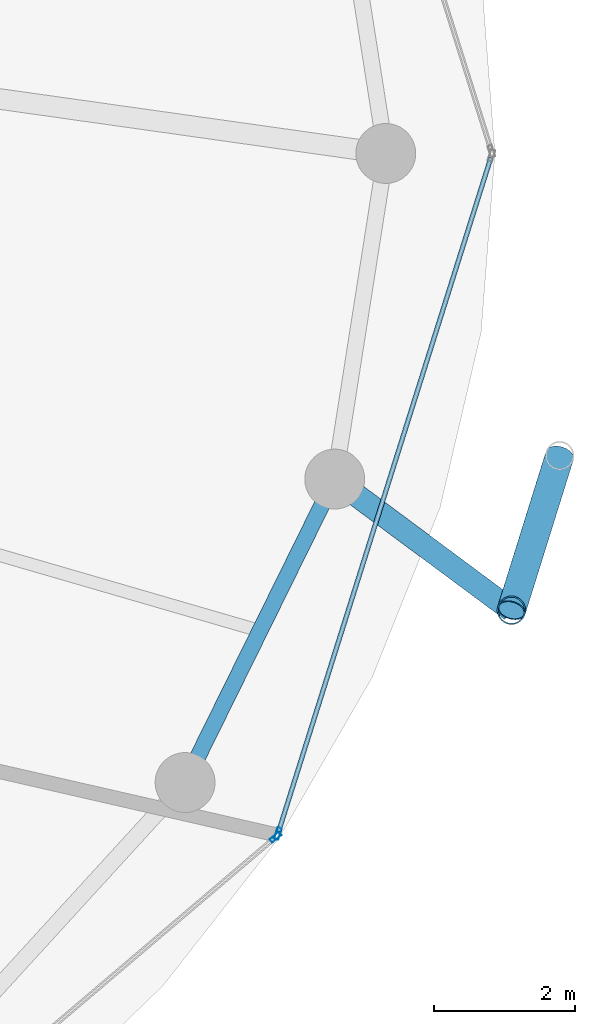
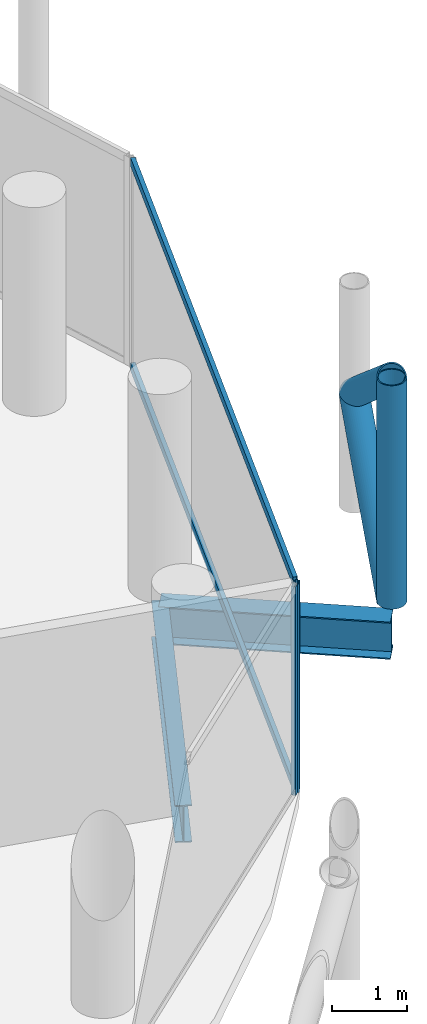
# One storey, part 13 of 27: 7 members, 2 beams, 2 elements without a shape of their own.
"""IFC4 building model written with IfcOpenShell, lengths in metres."""

from ifc_helpers import new_model, si_unit, direction, frame, origin, origin_2d, place, context, subcontext, project, spatial, hollow_rectangle, hollow_circle, i_section, extrude, material, layer, layer_set, material_profile, profile_set, type_object, element, aggregate, save


model = new_model("IFC4")

# Units and contexts
model_context = context("Model", 3, precision=1e-05, world=origin(), true_north=direction((0.0, 1.0)))
body_context = subcontext(model_context, "Body", "Model", "MODEL_VIEW")
ifc_project = project(units=[si_unit("LENGTHUNIT", "METRE"), si_unit("AREAUNIT", "SQUARE_METRE"), si_unit("VOLUMEUNIT", "CUBIC_METRE"), si_unit("PLANEANGLEUNIT", "RADIAN"), si_unit("MASSUNIT", "GRAM", prefix="KILO")], contexts=[model_context])

# Site, building, storey
site_placement = place(None, origin())
site = spatial("IfcSite", under=ifc_project, at=site_placement, CompositionType="ELEMENT")
building_placement = place(site_placement, origin())
building = spatial("IfcBuilding", under=site, at=building_placement, Name="Nuhasar Tower", CompositionType="ELEMENT")
storey_placement = place(building_placement, frame((0.0, 0.0, 208.14990234375)))
storey = spatial("IfcBuildingStorey", under=building, at=storey_placement, Name="L50", CompositionType="ELEMENT", Elevation=208.14990234375)

# Beams
ifc_material_1 = material(Name="Steel S355", Category="steel")
ifc_material_profile_1 = material_profile(ifc_material_1, i_section(OverallWidth=0.22802734375, OverallDepth=0.60791015625, WebThickness=0.01123046875, FlangeThickness=0.017333984375, at=origin_2d()), Name="W24X76")
ifc_profile_set_1 = profile_set([ifc_material_profile_1], Name="Steel S355")
beam_type_1 = type_object("IfcBeamType", Name="BM-RING-W24X76", PredefinedType="SPANDREL", material=ifc_profile_set_1)
beam_1_placement = place(storey_placement, frame((57.403076171875, 17.875, -0.5439453125), z_axis=(0.442262779282, 0.896885518928, 0.0), x_axis=(-0.896885518928, 0.442262779282, 0.0)))
element("IfcBeam", 1, at=beam_1_placement, inside=storey, type_object=beam_type_1, Name="L50 Perimeter Ring Spandrel 23", PredefinedType="SPANDREL", context=body_context, shape_type="SweptSolid", body=[
    extrude(i_section(OverallWidth=0.22802734375, OverallDepth=0.60791015625, WebThickness=0.01123046875, FlangeThickness=0.017333984375, at=origin_2d()), origin(), (0.0, 0.0, 1.0), 4.7998046875),
])
ifc_material_profile_2 = material_profile(ifc_material_1, i_section(OverallWidth=0.323974609375, OverallDepth=0.611083984375, WebThickness=0.0126953125, FlangeThickness=0.01904296875, at=origin_2d()), Name="W24X104")
ifc_profile_set_2 = profile_set([ifc_material_profile_2], Name="Steel S355")
beam_type_2 = type_object("IfcBeamType", Name="BM-TIE-W24X104", PredefinedType="BEAM", material=ifc_profile_set_2)
beam_2_placement = place(storey_placement, frame((59.52587890625, 22.179931640625, -0.544921875), z_axis=(0.802983345014, -0.596001466131, 0.0), x_axis=(0.596001466131, 0.802983345014, 0.0)))
element("IfcBeam", 2, at=beam_2_placement, inside=storey, type_object=beam_type_2, Name="L50 Exoskeleton Node Tie Beam 12", PredefinedType="BEAM", context=body_context, shape_type="SweptSolid", body=[
    extrude(i_section(OverallWidth=0.323974609375, OverallDepth=0.611083984375, WebThickness=0.0126953125, FlangeThickness=0.01904296875, at=origin_2d()), origin(), (0.0, 0.0, 1.0), 3.122314453125),
])

# Curtain wall, member
ifc_material_2 = material(Name="Aluminium 6063-T6", Category="aluminium")
ifc_layer = layer(ifc_material_2, 0.18994140625)
ifc_layer_set = layer_set([ifc_layer], Name="Aluminium 6063-T6")
curtain_wall_type = type_object("IfcCurtainWallType", Name="CW-Z3-RES", PredefinedType="NOTDEFINED", material=ifc_layer_set)
curtain_wall_1_placement = place(storey_placement, origin())
curtain_wall_1 = element("IfcCurtainWall", 3, at=curtain_wall_1_placement, inside=storey, type_object=curtain_wall_type, Name="L50 Unitised Curtain Wall 11", PredefinedType="NOTDEFINED")
ifc_material_profile_3 = material_profile(ifc_material_2, hollow_rectangle(XDim=0.06494140625, YDim=0.169921875, WallThickness=0.0048828125, at=origin_2d()), Name="CWM-4")
ifc_profile_set_3 = profile_set([ifc_material_profile_3], Name="Aluminium 6063-T6")
member_type_1 = type_object("IfcMemberType", Name="CW-MUL-S4", PredefinedType="MULLION", material=ifc_profile_set_3)
member_1_placement = place(storey_placement, frame((58.686279296875, 17.098876953125, 0.0), z_axis=(0.0, 0.0, 1.0), x_axis=(-0.64789521578, 0.761729472562, 0.0)))
member_1 = element("IfcMember", 4, at=member_1_placement, type_object=member_type_1, Name="CW-Z3 mullion 2", PredefinedType="MULLION", context=body_context, shape_type="SweptSolid", body=[
    extrude(hollow_rectangle(XDim=0.06494140625, YDim=0.169921875, WallThickness=0.0048828125, at=origin_2d()), origin(), (0.0, 0.0, 1.0), 3.41015625),
])
aggregate(curtain_wall_1, [member_1])

# Curtain wall, members
curtain_wall_2_placement = place(storey_placement, origin())
curtain_wall_2 = element("IfcCurtainWall", 5, at=curtain_wall_2_placement, inside=storey, type_object=curtain_wall_type, Name="L50 Unitised Curtain Wall 12", PredefinedType="NOTDEFINED")
member_2_placement = place(storey_placement, frame((58.720703125, 17.15087890625, 0.0), z_axis=(0.0, 0.0, 1.0), x_axis=(-0.95380429279, 0.30042864553, 0.0)))
member_2 = element("IfcMember", 6, at=member_2_placement, type_object=member_type_1, Name="CW-Z3 mullion 1", PredefinedType="MULLION", context=body_context, shape_type="SweptSolid", body=[
    extrude(hollow_rectangle(XDim=0.06494140625, YDim=0.169921875, WallThickness=0.0048828125, at=origin_2d()), origin(), (0.0, 0.0, 1.0), 3.41015625),
])
ifc_material_profile_4 = material_profile(ifc_material_2, hollow_rectangle(XDim=0.06494140625, YDim=0.139892578125, WallThickness=0.00439453125, at=origin_2d()), Name="CWT-4")
ifc_profile_set_4 = profile_set([ifc_material_profile_4], Name="Aluminium 6063-T6")
member_type_2 = type_object("IfcMemberType", Name="CW-TRN-S4", PredefinedType="USERDEFINED", material=ifc_profile_set_4)
member_3_placement = place(storey_placement, frame((58.73046875, 17.181884765625, 0.03271484375), z_axis=(0.300430390604, 0.953803743126, 0.0), x_axis=(-0.953803743126, 0.300430390604, 0.0)))
member_3 = element("IfcMember", 7, at=member_3_placement, type_object=member_type_2, Name="CW-Z3 transom 1.1", ObjectType="TRANSOM", PredefinedType="USERDEFINED", context=body_context, shape_type="SweptSolid", body=[
    extrude(hollow_rectangle(XDim=0.06494140625, YDim=0.139892578125, WallThickness=0.00439453125, at=origin_2d()), origin(), (0.0, 0.0, 1.0), 10.01904296875),
])
member_4_placement = place(storey_placement, frame((58.73046875, 17.181884765625, 3.377685546875), z_axis=(0.300430390604, 0.953803743126, 0.0), x_axis=(-0.953803743126, 0.300430390604, 0.0)))
member_4 = element("IfcMember", 8, at=member_4_placement, type_object=member_type_2, Name="CW-Z3 transom 1.2", ObjectType="TRANSOM", PredefinedType="USERDEFINED", context=body_context, shape_type="SweptSolid", body=[
    extrude(hollow_rectangle(XDim=0.06494140625, YDim=0.139892578125, WallThickness=0.00439453125, at=origin_2d()), origin(), (0.0, 0.0, 1.0), 10.01904296875),
])
aggregate(curtain_wall_2, [member_2, member_3, member_4])

# Members
ifc_material_3 = material(Name="Steel S460", Category="steel")
ifc_material_profile_5 = material_profile(ifc_material_3, hollow_circle(Radius=0.203125, WallThickness=0.01904296875, at=origin_2d()), Name="HSS406.4X19.1")
ifc_profile_set_5 = profile_set([ifc_material_profile_5], Name="Steel S460")
member_type_3 = type_object("IfcMemberType", Name="EXO-BRONZE-406", PredefinedType="BRACE", material=ifc_profile_set_5)
member_5_placement = place(storey_placement, frame((62.032958984375, 20.319091796875, 0.0), z_axis=(0.0, 0.0, 1.0), x_axis=(1.0, 0.0, 0.0)))
element("IfcMember", 9, at=member_5_placement, inside=storey, type_object=member_type_3, Name="L50 Exoskeleton Chord Column EC-12A", PredefinedType="BRACE", context=body_context, shape_type="SweptSolid", body=[
    extrude(hollow_circle(Radius=0.203125, WallThickness=0.01904296875, at=origin_2d()), origin(), (0.0, 0.0, 1.0), 3.650146484375),
])
for number, where, z_axis, x_axis, name in (
    (10, (62.032958984375, 20.319091796875, 0.0), (0.233360356896, 0.747651321632, 0.621739853228), (-0.954581948223, 0.297948492404, 0.0), "L50 Bronze Diagrid Brace W1-12"),
    (11, (62.718017578125, 22.513916015625, 1.8251953125), (-0.233372423355, -0.747689980743, 0.621688832709), (0.954581948223, -0.297948492404, 0.0), "L50 Bronze Diagrid Brace W2-12"),
):
    element("IfcMember", number, at=place(storey_placement, frame(where, z_axis=z_axis, x_axis=x_axis)), inside=storey, type_object=member_type_3, Name=name, PredefinedType="BRACE", context=body_context, shape_type="SweptSolid", body=[
        extrude(hollow_circle(Radius=0.203125, WallThickness=0.01904296875, at=origin_2d()), origin(), (0.0, 0.0, 1.0), 2.935546875),
    ])

save(model, "model.ifc")
